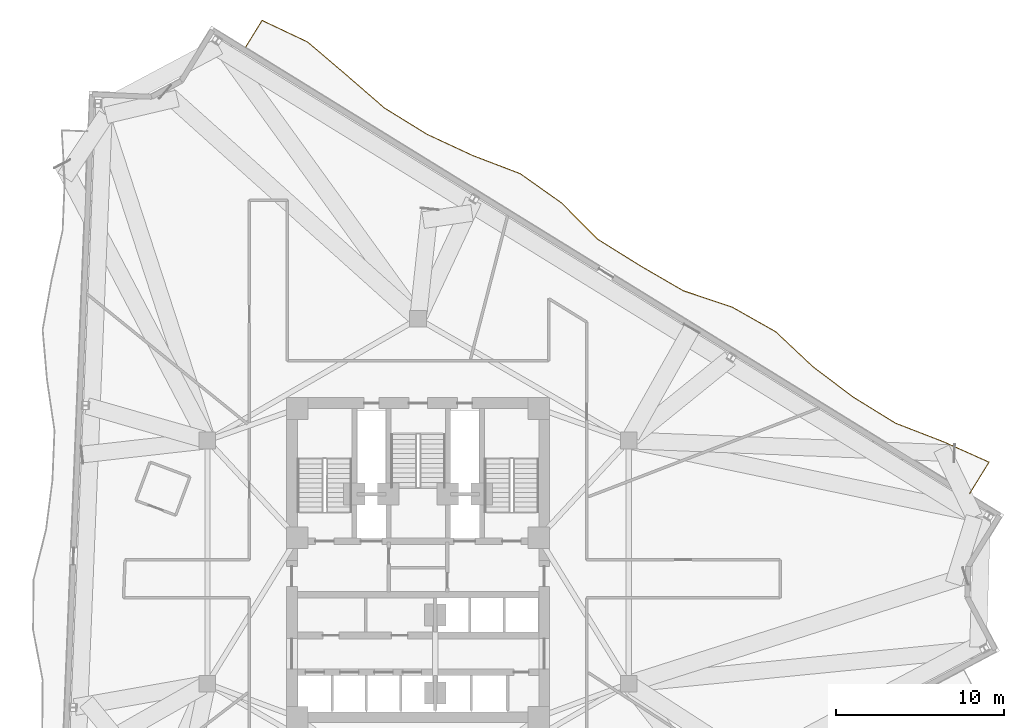
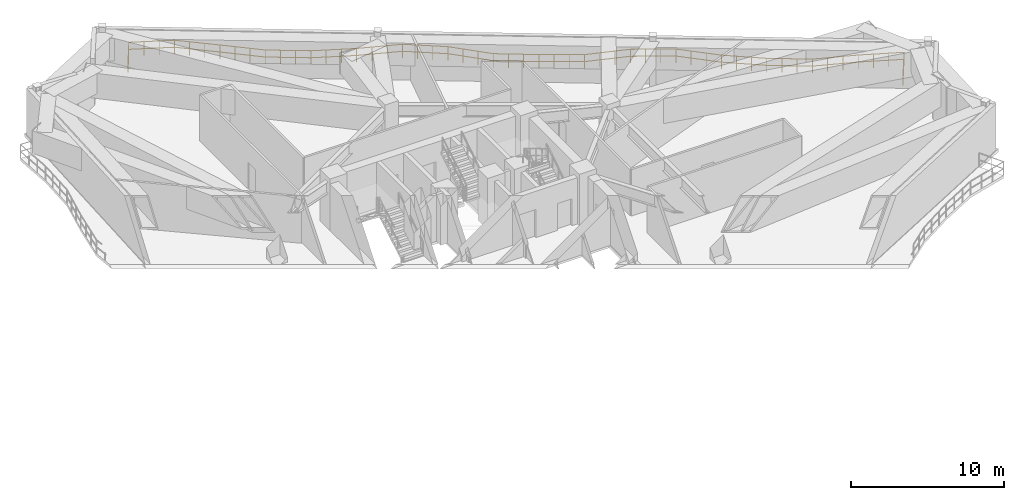
# One storey, part 14 of 14: 1 railing.
"""IFC4 building model written with IfcOpenShell, lengths in metres."""

from ifc_helpers import new_model, si_unit, direction, frame, origin, origin_2d, place, context, subcontext, project, spatial, rectangle, extrude, material, type_object, element, save


model = new_model("IFC4")

# Units and contexts
model_context = context("Model", 3, precision=1e-05, world=origin(), true_north=direction((0.0, 1.0)))
body_context = subcontext(model_context, "Body", "Model", "MODEL_VIEW")
ifc_project = project(units=[si_unit("LENGTHUNIT", "METRE"), si_unit("AREAUNIT", "SQUARE_METRE"), si_unit("VOLUMEUNIT", "CUBIC_METRE"), si_unit("PLANEANGLEUNIT", "RADIAN"), si_unit("MASSUNIT", "GRAM", prefix="KILO")], contexts=[model_context])

# Site, building, storey
site_placement = place(None, origin())
site = spatial("IfcSite", under=ifc_project, at=site_placement, CompositionType="ELEMENT")
building_placement = place(site_placement, origin())
building = spatial("IfcBuilding", under=site, at=building_placement, Name="Apsidion Concourse Tower", CompositionType="ELEMENT")
storey_placement = place(building_placement, frame((0.0, 0.0, 190.10009765625)))
storey = spatial("IfcBuildingStorey", under=building, at=storey_placement, Name="L44", CompositionType="ELEMENT", Elevation=190.10009765625)

# Railing
ifc_material = material(Name="Brushed stainless steel 316", Category="steel")
railing_type = type_object("IfcRailingType", Name="RL-BAL-1120", PredefinedType="BALUSTRADE", material=ifc_material)
railing_placement = place(storey_placement, frame((-10.277587890625, 30.70458984375, 0.0)))
element("IfcRailing", 1, at=railing_placement, inside=storey, type_object=railing_type, Name="L44 Face 3 Rippling Balcony Balustrade", PredefinedType="BALUSTRADE", context=body_context, shape_type="SweptSolid", body=[
    extrude(rectangle(XDim=0.048095703125, YDim=0.048095703125, at=origin_2d()), frame((0.0, 0.0, 1.09619140625), z_axis=(0.524929799606, 0.851145525445, 0.0), x_axis=(-0.851145525445, 0.524929799606, 0.0)), (0.0, 0.0, 1.0), 1.864990234375),
    extrude(rectangle(XDim=0.048095703125, YDim=0.048095703125, at=origin_2d()), frame((0.0, 0.0, 0.5361328125), z_axis=(0.524929799606, 0.851145525445, 0.0), x_axis=(-0.851145525445, 0.524929799606, 0.0)), (0.0, 0.0, 1.0), 1.864990234375),
    extrude(rectangle(XDim=0.048095703125, YDim=0.048095703125, at=origin_2d()), frame((0.97900390625, 1.58740234375, 1.09619140625), z_axis=(0.903881886022, -0.427782112904, 0.0), x_axis=(0.427782112904, 0.903881886022, 0.0)), (0.0, 0.0, 1.0), 3.00146484375),
    extrude(rectangle(XDim=0.048095703125, YDim=0.048095703125, at=origin_2d()), frame((0.97900390625, 1.58740234375, 0.5361328125), z_axis=(0.903881886022, -0.427782112904, 0.0), x_axis=(0.427782112904, 0.903881886022, 0.0)), (0.0, 0.0, 1.0), 3.00146484375),
    extrude(rectangle(XDim=0.048095703125, YDim=0.048095703125, at=origin_2d()), frame((3.69189453125, 0.303466796875, 1.09619140625), z_axis=(0.761462078736, -0.64820945893, 0.0), x_axis=(0.64820945893, 0.761462078736, 0.0)), (0.0, 0.0, 1.0), 3.01806640625),
    extrude(rectangle(XDim=0.048095703125, YDim=0.048095703125, at=origin_2d()), frame((3.69189453125, 0.303466796875, 0.5361328125), z_axis=(0.761462078736, -0.64820945893, 0.0), x_axis=(0.64820945893, 0.761462078736, 0.0)), (0.0, 0.0, 1.0), 3.01806640625),
    extrude(rectangle(XDim=0.048095703125, YDim=0.048095703125, at=origin_2d()), frame((5.989990234375, -1.65283203125, 1.09619140625), z_axis=(0.755411836474, -0.65525030127, 0.0), x_axis=(0.65525030127, 0.755411836474, 0.0)), (0.0, 0.0, 1.0), 3.0224609375),
    extrude(rectangle(XDim=0.048095703125, YDim=0.048095703125, at=origin_2d()), frame((5.989990234375, -1.65283203125, 0.5361328125), z_axis=(0.755411836474, -0.65525030127, 0.0), x_axis=(0.65525030127, 0.755411836474, 0.0)), (0.0, 0.0, 1.0), 3.0224609375),
    extrude(rectangle(XDim=0.048095703125, YDim=0.048095703125, at=origin_2d()), frame((8.273193359375, -3.63330078125, 1.09619140625), z_axis=(0.851123939118, -0.524964799068, 0.0), x_axis=(0.524964799068, 0.851123939118, 0.0)), (0.0, 0.0, 1.0), 2.98291015625),
    extrude(rectangle(XDim=0.048095703125, YDim=0.048095703125, at=origin_2d()), frame((8.273193359375, -3.63330078125, 0.5361328125), z_axis=(0.851123939118, -0.524964799068, 0.0), x_axis=(0.524964799068, 0.851123939118, 0.0)), (0.0, 0.0, 1.0), 2.98291015625),
    extrude(rectangle(XDim=0.048095703125, YDim=0.048095703125, at=origin_2d()), frame((10.81201171875, -5.19921875, 1.09619140625), z_axis=(0.906854788223, -0.421443226399, 0.0), x_axis=(0.421443226399, 0.906854788223, 0.0)), (0.0, 0.0, 1.0), 3.003662109375),
    extrude(rectangle(XDim=0.048095703125, YDim=0.048095703125, at=origin_2d()), frame((10.81201171875, -5.19921875, 0.5361328125), z_axis=(0.906854788223, -0.421443226399, 0.0), x_axis=(0.421443226399, 0.906854788223, 0.0)), (0.0, 0.0, 1.0), 3.003662109375),
    extrude(rectangle(XDim=0.048095703125, YDim=0.048095703125, at=origin_2d()), frame((13.535888671875, -6.465087890625, 1.09619140625), z_axis=(0.933972128993, -0.357345858049, 0.0), x_axis=(0.357345858049, 0.933972128993, 0.0)), (0.0, 0.0, 1.0), 3.0361328125),
    extrude(rectangle(XDim=0.048095703125, YDim=0.048095703125, at=origin_2d()), frame((13.535888671875, -6.465087890625, 0.5361328125), z_axis=(0.933972128993, -0.357345858049, 0.0), x_axis=(0.357345858049, 0.933972128993, 0.0)), (0.0, 0.0, 1.0), 3.0361328125),
    extrude(rectangle(XDim=0.048095703125, YDim=0.048095703125, at=origin_2d()), frame((16.37158203125, -7.550048828125, 1.09619140625), z_axis=(0.816231509609, -0.577724954214, 0.0), x_axis=(0.577724954214, 0.816231509609, 0.0)), (0.0, 0.0, 1.0), 2.989013671875),
    extrude(rectangle(XDim=0.048095703125, YDim=0.048095703125, at=origin_2d()), frame((16.37158203125, -7.550048828125, 0.5361328125), z_axis=(0.816231509609, -0.577724954214, 0.0), x_axis=(0.577724954214, 0.816231509609, 0.0)), (0.0, 0.0, 1.0), 2.989013671875),
    extrude(rectangle(XDim=0.048095703125, YDim=0.048095703125, at=origin_2d()), frame((18.811279296875, -9.27685546875, 1.09619140625), z_axis=(0.705951542987, -0.708260135088, 0.0), x_axis=(0.708260135088, 0.705951542987, 0.0)), (0.0, 0.0, 1.0), 3.06689453125),
    extrude(rectangle(XDim=0.048095703125, YDim=0.048095703125, at=origin_2d()), frame((18.811279296875, -9.27685546875, 0.5361328125), z_axis=(0.705951542987, -0.708260135088, 0.0), x_axis=(0.708260135088, 0.705951542987, 0.0)), (0.0, 0.0, 1.0), 3.06689453125),
    extrude(rectangle(XDim=0.048095703125, YDim=0.048095703125, at=origin_2d()), frame((20.976318359375, -11.448974609375, 1.09619140625), z_axis=(0.848430249905, -0.529307199126, 0.0), x_axis=(0.529307199126, 0.848430249905, 0.0)), (0.0, 0.0, 1.0), 2.98291015625),
    extrude(rectangle(XDim=0.048095703125, YDim=0.048095703125, at=origin_2d()), frame((20.976318359375, -11.448974609375, 0.5361328125), z_axis=(0.848430249905, -0.529307199126, 0.0), x_axis=(0.529307199126, 0.848430249905, 0.0)), (0.0, 0.0, 1.0), 2.98291015625),
    extrude(rectangle(XDim=0.048095703125, YDim=0.048095703125, at=origin_2d()), frame((23.507080078125, -13.02783203125, 1.09619140625), z_axis=(0.864859992323, -0.502013140942, 0.0), x_axis=(0.502013140942, 0.864859992323, 0.0)), (0.0, 0.0, 1.0), 2.984130859375),
    extrude(rectangle(XDim=0.048095703125, YDim=0.048095703125, at=origin_2d()), frame((23.507080078125, -13.02783203125, 0.5361328125), z_axis=(0.864859992323, -0.502013140942, 0.0), x_axis=(0.502013140942, 0.864859992323, 0.0)), (0.0, 0.0, 1.0), 2.984130859375),
    extrude(rectangle(XDim=0.048095703125, YDim=0.048095703125, at=origin_2d()), frame((26.087890625, -14.52587890625, 1.09619140625), z_axis=(0.948372055004, -0.317159967979, 0.0), x_axis=(0.317159967979, 0.948372055004, 0.0)), (0.0, 0.0, 1.0), 3.063720703125),
    extrude(rectangle(XDim=0.048095703125, YDim=0.048095703125, at=origin_2d()), frame((26.087890625, -14.52587890625, 0.5361328125), z_axis=(0.948372055004, -0.317159967979, 0.0), x_axis=(0.317159967979, 0.948372055004, 0.0)), (0.0, 0.0, 1.0), 3.063720703125),
    extrude(rectangle(XDim=0.048095703125, YDim=0.048095703125, at=origin_2d()), frame((28.993408203125, -15.49755859375, 1.09619140625), z_axis=(0.870623762269, -0.491949453269, 0.0), x_axis=(0.491949453269, 0.870623762269, 0.0)), (0.0, 0.0, 1.0), 2.985107421875),
    extrude(rectangle(XDim=0.048095703125, YDim=0.048095703125, at=origin_2d()), frame((28.993408203125, -15.49755859375, 0.5361328125), z_axis=(0.870623762269, -0.491949453269, 0.0), x_axis=(0.491949453269, 0.870623762269, 0.0)), (0.0, 0.0, 1.0), 2.985107421875),
    extrude(rectangle(XDim=0.048095703125, YDim=0.048095703125, at=origin_2d()), frame((31.59228515625, -16.966064453125, 1.09619140625), z_axis=(0.728931738603, -0.684586386409, 0.0), x_axis=(0.684586386409, 0.728931738603, 0.0)), (0.0, 0.0, 1.0), 3.04443359375),
    extrude(rectangle(XDim=0.048095703125, YDim=0.048095703125, at=origin_2d()), frame((31.59228515625, -16.966064453125, 0.5361328125), z_axis=(0.728931738603, -0.684586386409, 0.0), x_axis=(0.684586386409, 0.728931738603, 0.0)), (0.0, 0.0, 1.0), 3.04443359375),
    extrude(rectangle(XDim=0.048095703125, YDim=0.048095703125, at=origin_2d()), frame((33.8115234375, -19.05029296875, 1.09619140625), z_axis=(0.797843809371, -0.602864210124, 0.0), x_axis=(0.602864210124, 0.797843809371, 0.0)), (0.0, 0.0, 1.0), 2.996337890625),
    extrude(rectangle(XDim=0.048095703125, YDim=0.048095703125, at=origin_2d()), frame((33.8115234375, -19.05029296875, 0.5361328125), z_axis=(0.797843809371, -0.602864210124, 0.0), x_axis=(0.602864210124, 0.797843809371, 0.0)), (0.0, 0.0, 1.0), 2.996337890625),
    extrude(rectangle(XDim=0.048095703125, YDim=0.048095703125, at=origin_2d()), frame((36.2021484375, -20.856689453125, 1.09619140625), z_axis=(0.851183058053, -0.524868937625, 0.0), x_axis=(0.524868937625, 0.851183058053, 0.0)), (0.0, 0.0, 1.0), 2.98291015625),
    extrude(rectangle(XDim=0.048095703125, YDim=0.048095703125, at=origin_2d()), frame((36.2021484375, -20.856689453125, 0.5361328125), z_axis=(0.851183058053, -0.524868937625, 0.0), x_axis=(0.524868937625, 0.851183058053, 0.0)), (0.0, 0.0, 1.0), 2.98291015625),
    extrude(rectangle(XDim=0.048095703125, YDim=0.048095703125, at=origin_2d()), frame((38.7412109375, -22.42236328125, 1.09619140625), z_axis=(0.932559358493, -0.361016679513, 0.0), x_axis=(0.361016679513, 0.932559358493, 0.0)), (0.0, 0.0, 1.0), 3.03369140625),
    extrude(rectangle(XDim=0.048095703125, YDim=0.048095703125, at=origin_2d()), frame((38.7412109375, -22.42236328125, 0.5361328125), z_axis=(0.932559358493, -0.361016679513, 0.0), x_axis=(0.361016679513, 0.932559358493, 0.0)), (0.0, 0.0, 1.0), 3.03369140625),
    extrude(rectangle(XDim=0.048095703125, YDim=0.048095703125, at=origin_2d()), frame((41.5703125, -23.517578125, 1.09619140625), z_axis=(0.912990066029, -0.407981787992, 0.0), x_axis=(0.407981787992, 0.912990066029, 0.0)), (0.0, 0.0, 1.0), 3.009521484375),
    extrude(rectangle(XDim=0.048095703125, YDim=0.048095703125, at=origin_2d()), frame((41.5703125, -23.517578125, 0.5361328125), z_axis=(0.912990066029, -0.407981787992, 0.0), x_axis=(0.407981787992, 0.912990066029, 0.0)), (0.0, 0.0, 1.0), 3.009521484375),
    extrude(rectangle(XDim=0.048095703125, YDim=0.048095703125, at=origin_2d()), frame((44.31787109375, -24.745361328125, 1.09619140625), z_axis=(-0.524902102766, -0.851162606387, 0.0), x_axis=(0.851162606387, -0.524902102766, 0.0)), (0.0, 0.0, 1.0), 2.199951171875),
    extrude(rectangle(XDim=0.048095703125, YDim=0.048095703125, at=origin_2d()), frame((44.31787109375, -24.745361328125, 0.5361328125), z_axis=(-0.524902102766, -0.851162606387, 0.0), x_axis=(0.851162606387, -0.524902102766, 0.0)), (0.0, 0.0, 1.0), 2.199951171875),
    extrude(rectangle(XDim=0.0419921875, YDim=0.0419921875, at=origin_2d()), origin(), (0.0, 0.0, 1.0), 1.072021484375),
    extrude(rectangle(XDim=0.0419921875, YDim=0.0419921875, at=origin_2d()), frame((0.489501953125, 0.793701171875, 0.0)), (0.0, 0.0, 1.0), 1.072021484375),
    extrude(rectangle(XDim=0.0419921875, YDim=0.0419921875, at=origin_2d()), frame((0.97900390625, 1.58740234375, 0.0)), (0.0, 0.0, 1.0), 1.072021484375),
    extrude(rectangle(XDim=0.0419921875, YDim=0.0419921875, at=origin_2d()), frame((1.88330078125, 1.159423828125, 0.0)), (0.0, 0.0, 1.0), 1.072021484375),
    extrude(rectangle(XDim=0.0419921875, YDim=0.0419921875, at=origin_2d()), frame((2.78759765625, 0.7314453125, 0.0)), (0.0, 0.0, 1.0), 1.072021484375),
    extrude(rectangle(XDim=0.0419921875, YDim=0.0419921875, at=origin_2d()), frame((3.69189453125, 0.303466796875, 0.0)), (0.0, 0.0, 1.0), 1.072021484375),
    extrude(rectangle(XDim=0.0419921875, YDim=0.0419921875, at=origin_2d()), frame((4.4580078125, -0.3486328125, 0.0)), (0.0, 0.0, 1.0), 1.072021484375),
    extrude(rectangle(XDim=0.0419921875, YDim=0.0419921875, at=origin_2d()), frame((5.223876953125, -1.000732421875, 0.0)), (0.0, 0.0, 1.0), 1.072021484375),
    extrude(rectangle(XDim=0.0419921875, YDim=0.0419921875, at=origin_2d()), frame((5.989990234375, -1.65283203125, 0.0)), (0.0, 0.0, 1.0), 1.072021484375),
    extrude(rectangle(XDim=0.0419921875, YDim=0.0419921875, at=origin_2d()), frame((6.7509765625, -2.31298828125, 0.0)), (0.0, 0.0, 1.0), 1.072021484375),
    extrude(rectangle(XDim=0.0419921875, YDim=0.0419921875, at=origin_2d()), frame((7.51220703125, -2.97314453125, 0.0)), (0.0, 0.0, 1.0), 1.072021484375),
    extrude(rectangle(XDim=0.0419921875, YDim=0.0419921875, at=origin_2d()), frame((8.273193359375, -3.63330078125, 0.0)), (0.0, 0.0, 1.0), 1.072021484375),
    extrude(rectangle(XDim=0.0419921875, YDim=0.0419921875, at=origin_2d()), frame((9.119384765625, -4.1552734375, 0.0)), (0.0, 0.0, 1.0), 1.072021484375),
    extrude(rectangle(XDim=0.0419921875, YDim=0.0419921875, at=origin_2d()), frame((9.9658203125, -4.67724609375, 0.0)), (0.0, 0.0, 1.0), 1.072021484375),
    extrude(rectangle(XDim=0.0419921875, YDim=0.0419921875, at=origin_2d()), frame((10.81201171875, -5.19921875, 0.0)), (0.0, 0.0, 1.0), 1.072021484375),
    extrude(rectangle(XDim=0.0419921875, YDim=0.0419921875, at=origin_2d()), frame((11.719970703125, -5.62109375, 0.0)), (0.0, 0.0, 1.0), 1.072021484375),
    extrude(rectangle(XDim=0.0419921875, YDim=0.0419921875, at=origin_2d()), frame((12.6279296875, -6.043212890625, 0.0)), (0.0, 0.0, 1.0), 1.072021484375),
    extrude(rectangle(XDim=0.0419921875, YDim=0.0419921875, at=origin_2d()), frame((13.535888671875, -6.465087890625, 0.0)), (0.0, 0.0, 1.0), 1.072021484375),
    extrude(rectangle(XDim=0.0419921875, YDim=0.0419921875, at=origin_2d()), frame((14.481201171875, -6.82666015625, 0.0)), (0.0, 0.0, 1.0), 1.072021484375),
    extrude(rectangle(XDim=0.0419921875, YDim=0.0419921875, at=origin_2d()), frame((15.42626953125, -7.1884765625, 0.0)), (0.0, 0.0, 1.0), 1.072021484375),
    extrude(rectangle(XDim=0.0419921875, YDim=0.0419921875, at=origin_2d()), frame((16.37158203125, -7.550048828125, 0.0)), (0.0, 0.0, 1.0), 1.072021484375),
    extrude(rectangle(XDim=0.0419921875, YDim=0.0419921875, at=origin_2d()), frame((17.184814453125, -8.125732421875, 0.0)), (0.0, 0.0, 1.0), 1.072021484375),
    extrude(rectangle(XDim=0.0419921875, YDim=0.0419921875, at=origin_2d()), frame((17.998046875, -8.701171875, 0.0)), (0.0, 0.0, 1.0), 1.072021484375),
    extrude(rectangle(XDim=0.0419921875, YDim=0.0419921875, at=origin_2d()), frame((18.811279296875, -9.27685546875, 0.0)), (0.0, 0.0, 1.0), 1.072021484375),
    extrude(rectangle(XDim=0.0419921875, YDim=0.0419921875, at=origin_2d()), frame((19.532958984375, -10.0009765625, 0.0)), (0.0, 0.0, 1.0), 1.072021484375),
    extrude(rectangle(XDim=0.0419921875, YDim=0.0419921875, at=origin_2d()), frame((20.254638671875, -10.724853515625, 0.0)), (0.0, 0.0, 1.0), 1.072021484375),
    extrude(rectangle(XDim=0.0419921875, YDim=0.0419921875, at=origin_2d()), frame((20.976318359375, -11.448974609375, 0.0)), (0.0, 0.0, 1.0), 1.072021484375),
    extrude(rectangle(XDim=0.0419921875, YDim=0.0419921875, at=origin_2d()), frame((21.81982421875, -11.975341796875, 0.0)), (0.0, 0.0, 1.0), 1.072021484375),
    extrude(rectangle(XDim=0.0419921875, YDim=0.0419921875, at=origin_2d()), frame((22.66357421875, -12.50146484375, 0.0)), (0.0, 0.0, 1.0), 1.072021484375),
    extrude(rectangle(XDim=0.0419921875, YDim=0.0419921875, at=origin_2d()), frame((23.507080078125, -13.02783203125, 0.0)), (0.0, 0.0, 1.0), 1.072021484375),
    extrude(rectangle(XDim=0.0419921875, YDim=0.0419921875, at=origin_2d()), frame((24.367431640625, -13.527099609375, 0.0)), (0.0, 0.0, 1.0), 1.072021484375),
    extrude(rectangle(XDim=0.0419921875, YDim=0.0419921875, at=origin_2d()), frame((25.2275390625, -14.026611328125, 0.0)), (0.0, 0.0, 1.0), 1.072021484375),
    extrude(rectangle(XDim=0.0419921875, YDim=0.0419921875, at=origin_2d()), frame((26.087890625, -14.52587890625, 0.0)), (0.0, 0.0, 1.0), 1.072021484375),
    extrude(rectangle(XDim=0.0419921875, YDim=0.0419921875, at=origin_2d()), frame((27.056396484375, -14.849853515625, 0.0)), (0.0, 0.0, 1.0), 1.072021484375),
    extrude(rectangle(XDim=0.0419921875, YDim=0.0419921875, at=origin_2d()), frame((28.02490234375, -15.173583984375, 0.0)), (0.0, 0.0, 1.0), 1.072021484375),
    extrude(rectangle(XDim=0.0419921875, YDim=0.0419921875, at=origin_2d()), frame((28.993408203125, -15.49755859375, 0.0)), (0.0, 0.0, 1.0), 1.072021484375),
    extrude(rectangle(XDim=0.0419921875, YDim=0.0419921875, at=origin_2d()), frame((29.859619140625, -15.987060546875, 0.0)), (0.0, 0.0, 1.0), 1.072021484375),
    extrude(rectangle(XDim=0.0419921875, YDim=0.0419921875, at=origin_2d()), frame((30.72607421875, -16.4765625, 0.0)), (0.0, 0.0, 1.0), 1.072021484375),
    extrude(rectangle(XDim=0.0419921875, YDim=0.0419921875, at=origin_2d()), frame((31.59228515625, -16.966064453125, 0.0)), (0.0, 0.0, 1.0), 1.072021484375),
    extrude(rectangle(XDim=0.0419921875, YDim=0.0419921875, at=origin_2d()), frame((32.33203125, -17.660888671875, 0.0)), (0.0, 0.0, 1.0), 1.072021484375),
    extrude(rectangle(XDim=0.0419921875, YDim=0.0419921875, at=origin_2d()), frame((33.07177734375, -18.35546875, 0.0)), (0.0, 0.0, 1.0), 1.072021484375),
    extrude(rectangle(XDim=0.0419921875, YDim=0.0419921875, at=origin_2d()), frame((33.8115234375, -19.05029296875, 0.0)), (0.0, 0.0, 1.0), 1.072021484375),
    extrude(rectangle(XDim=0.0419921875, YDim=0.0419921875, at=origin_2d()), frame((34.6083984375, -19.65234375, 0.0)), (0.0, 0.0, 1.0), 1.072021484375),
    extrude(rectangle(XDim=0.0419921875, YDim=0.0419921875, at=origin_2d()), frame((35.4052734375, -20.254638671875, 0.0)), (0.0, 0.0, 1.0), 1.072021484375),
    extrude(rectangle(XDim=0.0419921875, YDim=0.0419921875, at=origin_2d()), frame((36.2021484375, -20.856689453125, 0.0)), (0.0, 0.0, 1.0), 1.072021484375),
    extrude(rectangle(XDim=0.0419921875, YDim=0.0419921875, at=origin_2d()), frame((37.048583984375, -21.378662109375, 0.0)), (0.0, 0.0, 1.0), 1.072021484375),
    extrude(rectangle(XDim=0.0419921875, YDim=0.0419921875, at=origin_2d()), frame((37.894775390625, -21.900390625, 0.0)), (0.0, 0.0, 1.0), 1.072021484375),
    extrude(rectangle(XDim=0.0419921875, YDim=0.0419921875, at=origin_2d()), frame((38.7412109375, -22.42236328125, 0.0)), (0.0, 0.0, 1.0), 1.072021484375),
    extrude(rectangle(XDim=0.0419921875, YDim=0.0419921875, at=origin_2d()), frame((39.684326171875, -22.787353515625, 0.0)), (0.0, 0.0, 1.0), 1.072021484375),
    extrude(rectangle(XDim=0.0419921875, YDim=0.0419921875, at=origin_2d()), frame((40.627197265625, -23.152587890625, 0.0)), (0.0, 0.0, 1.0), 1.072021484375),
    extrude(rectangle(XDim=0.0419921875, YDim=0.0419921875, at=origin_2d()), frame((41.5703125, -23.517578125, 0.0)), (0.0, 0.0, 1.0), 1.072021484375),
    extrude(rectangle(XDim=0.0419921875, YDim=0.0419921875, at=origin_2d()), frame((42.486083984375, -23.9267578125, 0.0)), (0.0, 0.0, 1.0), 1.072021484375),
    extrude(rectangle(XDim=0.0419921875, YDim=0.0419921875, at=origin_2d()), frame((43.402099609375, -24.336181640625, 0.0)), (0.0, 0.0, 1.0), 1.072021484375),
    extrude(rectangle(XDim=0.0419921875, YDim=0.0419921875, at=origin_2d()), frame((44.31787109375, -24.745361328125, 0.0)), (0.0, 0.0, 1.0), 1.072021484375),
    extrude(rectangle(XDim=0.0419921875, YDim=0.0419921875, at=origin_2d()), frame((43.740478515625, -25.681640625, 0.0)), (0.0, 0.0, 1.0), 1.072021484375),
    extrude(rectangle(XDim=0.0419921875, YDim=0.0419921875, at=origin_2d()), frame((43.1630859375, -26.617919921875, 0.0)), (0.0, 0.0, 1.0), 1.072021484375),
])

save(model, "model.ifc")
